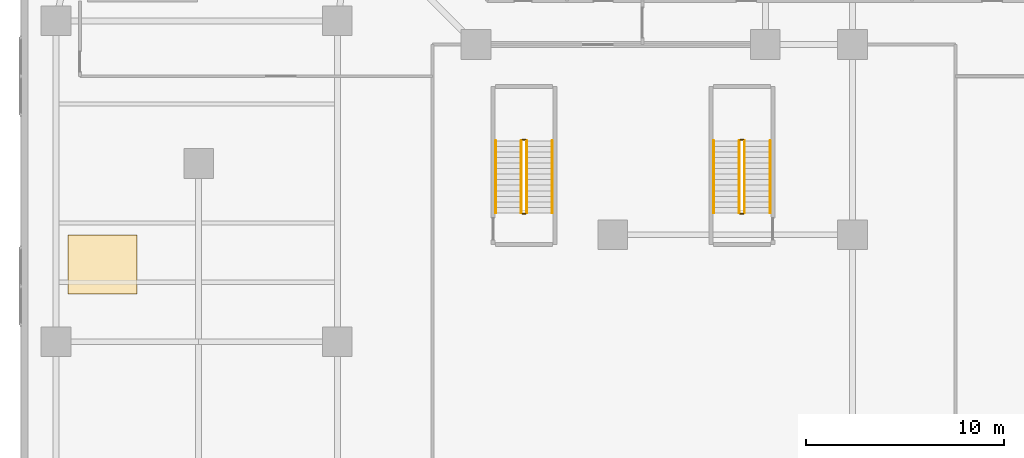
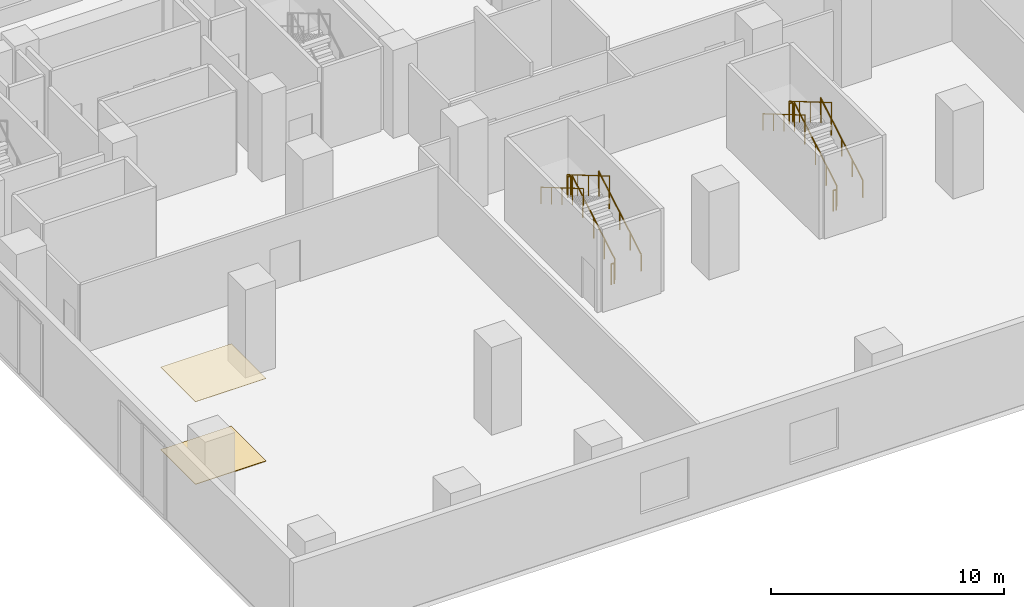
# One storey, part 12 of 14: 12 railings, 2 coverings.
"""IFC4 building model written with IfcOpenShell, lengths in metres."""

from ifc_helpers import new_model, si_unit, direction, frame, origin, origin_2d, place, context, subcontext, project, spatial, polyline, circle, outline, extrude, material, layer, layer_set, type_object, element, save


model = new_model("IFC4")

# Units and contexts
model_context = context("Model", 3, precision=1e-05, world=origin(), true_north=direction((0.0, 1.0)))
body_context = subcontext(model_context, "Body", "Model", "MODEL_VIEW")
ifc_project = project(units=[si_unit("LENGTHUNIT", "METRE"), si_unit("AREAUNIT", "SQUARE_METRE"), si_unit("VOLUMEUNIT", "CUBIC_METRE"), si_unit("PLANEANGLEUNIT", "RADIAN"), si_unit("MASSUNIT", "GRAM", prefix="KILO")], contexts=[model_context])

# Site, building, storey
site_placement = place(None, origin())
site = spatial("IfcSite", under=ifc_project, at=site_placement, CompositionType="ELEMENT")
building_placement = place(site_placement, origin())
building = spatial("IfcBuilding", under=site, at=building_placement, Name="Kuzgunbayir Cultural Tower", CompositionType="ELEMENT")
storey_placement = place(building_placement, frame((0.0, 0.0, 13.0)))
storey = spatial("IfcBuildingStorey", under=building, at=storey_placement, Name="L03", CompositionType="ELEMENT", Elevation=13.0)

# Coverings
ifc_material_1 = material(Name="Perforated Gypsum Acoustic Tile", Category="gypsum")
ifc_layer_1 = layer(ifc_material_1, 0.02490234375)
ifc_layer_set_1 = layer_set([ifc_layer_1], Name="Perforated Gypsum Acoustic Tile")
covering_type_1 = type_object("IfcCoveringType", Name="COV-CEIL-ACOUSTIC", PredefinedType="CEILING", material=ifc_layer_set_1)
covering_1_placement = place(storey_placement, frame((0.0, 0.0, 4.330078125)))
element("IfcCovering", 1, at=covering_1_placement, inside=storey, type_object=covering_type_1, Name="L03 Acoustic Soffit Ceiling", PredefinedType="CEILING", context=body_context, shape_type="SweptSolid", body=[
    extrude(outline(polyline([(6.0, 15.0), (9.5, 15.0), (9.5, 18.0), (6.0, 18.0), (6.0, 15.0)])), origin(), (0.0, 0.0, 1.0), 0.02001953125),
])
ifc_material_2 = material(Name="Honed Anatolian Marble Terrazzo", Category="masonry")
ifc_layer_2 = layer(ifc_material_2, 0.030029296875)
ifc_layer_set_2 = layer_set([ifc_layer_2], Name="Honed Anatolian Marble Terrazzo")
covering_type_2 = type_object("IfcCoveringType", Name="COV-FLOOR-TERRAZZO", PredefinedType="FLOORING", material=ifc_layer_set_2)
covering_2_placement = place(storey_placement, origin())
element("IfcCovering", 2, at=covering_2_placement, inside=storey, type_object=covering_type_2, Name="L03 Acoustic Floor Finish", PredefinedType="FLOORING", context=body_context, shape_type="SweptSolid", body=[
    extrude(outline(polyline([(6.0, 15.0), (9.5, 15.0), (9.5, 18.0), (6.0, 18.0), (6.0, 15.0)])), origin(), (0.0, 0.0, 1.0), 0.030029296875),
])

# Railings
ifc_material_3 = material(Name="Brushed Stainless Steel", Category="steel")
ifc_layer_3 = layer(ifc_material_3, 0.050048828125)
ifc_layer_set_3 = layer_set([ifc_layer_3], Name="Brushed Stainless Steel")
railing_type_1 = type_object("IfcRailingType", Name="RLG-STAIR-HANDRAIL", PredefinedType="HANDRAIL", material=ifc_layer_set_3)
railing_1_placement = place(storey_placement, frame((30.449951171875, 19.10009765625, 0.164306640625)))
element("IfcRailing", 3, at=railing_1_placement, inside=storey, type_object=railing_type_1, Name="L03 ST-5 stair handrail 1", PredefinedType="HANDRAIL", context=body_context, shape_type="SweptSolid", body=[
    extrude(circle(Radius=0.02392578125, at=origin_2d()), frame((0.0, 0.0, 0.8759765625), z_axis=(0.0, 0.862489892076, 0.506074289079), x_axis=(-1.0, 0.0, 0.0)), (0.0, 0.0, 1.0), 4.22021484375),
    extrude(circle(Radius=0.02099609375, at=origin_2d()), origin(), (0.0, 0.0, 1.0), 0.851806640625),
    extrude(circle(Radius=0.02099609375, at=origin_2d()), frame((0.0, 0.909912109375, 0.533935546875)), (0.0, 0.0, 1.0), 0.851806640625),
    extrude(circle(Radius=0.02099609375, at=origin_2d()), frame((0.0, 1.81982421875, 1.06787109375)), (0.0, 0.0, 1.0), 0.851806640625),
    extrude(circle(Radius=0.02099609375, at=origin_2d()), frame((0.0, 2.72998046875, 1.601806640625)), (0.0, 0.0, 1.0), 0.851806640625),
    extrude(circle(Radius=0.02099609375, at=origin_2d()), frame((0.0, 3.639892578125, 2.1357421875)), (0.0, 0.0, 1.0), 0.851806640625),
])
railing_2_placement = place(storey_placement, frame((27.590087890625, 22.739990234375, 2.46435546875)))
element("IfcRailing", 4, at=railing_2_placement, inside=storey, type_object=railing_type_1, Name="L03 ST-5 stair handrail 2", PredefinedType="HANDRAIL", context=body_context, shape_type="SweptSolid", body=[
    extrude(circle(Radius=0.02392578125, at=origin_2d()), frame((0.0, 0.0, 0.8759765625), z_axis=(0.0, -0.862489892076, 0.506074289079), x_axis=(1.0, 0.0, 0.0)), (0.0, 0.0, 1.0), 4.22021484375),
    extrude(circle(Radius=0.02099609375, at=origin_2d()), origin(), (0.0, 0.0, 1.0), 0.851806640625),
    extrude(circle(Radius=0.02099609375, at=origin_2d()), frame((0.0, -0.909912109375, 0.533935546875)), (0.0, 0.0, 1.0), 0.851806640625),
    extrude(circle(Radius=0.02099609375, at=origin_2d()), frame((0.0, -1.81982421875, 1.06787109375)), (0.0, 0.0, 1.0), 0.851806640625),
    extrude(circle(Radius=0.02099609375, at=origin_2d()), frame((0.0, -2.72998046875, 1.601806640625)), (0.0, 0.0, 1.0), 0.851806640625),
    extrude(circle(Radius=0.02099609375, at=origin_2d()), frame((0.0, -3.639892578125, 2.1357421875)), (0.0, 0.0, 1.0), 0.851806640625),
])
railing_3_placement = place(storey_placement, frame((41.449951171875, 19.10009765625, 0.164306640625)))
element("IfcRailing", 5, at=railing_3_placement, inside=storey, type_object=railing_type_1, Name="L03 ST-6 stair handrail 1", PredefinedType="HANDRAIL", context=body_context, shape_type="SweptSolid", body=[
    extrude(circle(Radius=0.02392578125, at=origin_2d()), frame((0.0, 0.0, 0.8759765625), z_axis=(0.0, 0.862489892076, 0.506074289079), x_axis=(-1.0, 0.0, 0.0)), (0.0, 0.0, 1.0), 4.22021484375),
    extrude(circle(Radius=0.02099609375, at=origin_2d()), origin(), (0.0, 0.0, 1.0), 0.851806640625),
    extrude(circle(Radius=0.02099609375, at=origin_2d()), frame((0.0, 0.909912109375, 0.533935546875)), (0.0, 0.0, 1.0), 0.851806640625),
    extrude(circle(Radius=0.02099609375, at=origin_2d()), frame((0.0, 1.81982421875, 1.06787109375)), (0.0, 0.0, 1.0), 0.851806640625),
    extrude(circle(Radius=0.02099609375, at=origin_2d()), frame((0.0, 2.72998046875, 1.601806640625)), (0.0, 0.0, 1.0), 0.851806640625),
    extrude(circle(Radius=0.02099609375, at=origin_2d()), frame((0.0, 3.639892578125, 2.1357421875)), (0.0, 0.0, 1.0), 0.851806640625),
])
railing_4_placement = place(storey_placement, frame((38.590087890625, 22.739990234375, 2.46435546875)))
element("IfcRailing", 6, at=railing_4_placement, inside=storey, type_object=railing_type_1, Name="L03 ST-6 stair handrail 2", PredefinedType="HANDRAIL", context=body_context, shape_type="SweptSolid", body=[
    extrude(circle(Radius=0.02392578125, at=origin_2d()), frame((0.0, 0.0, 0.8759765625), z_axis=(0.0, -0.862489892076, 0.506074289079), x_axis=(1.0, 0.0, 0.0)), (0.0, 0.0, 1.0), 4.22021484375),
    extrude(circle(Radius=0.02099609375, at=origin_2d()), origin(), (0.0, 0.0, 1.0), 0.851806640625),
    extrude(circle(Radius=0.02099609375, at=origin_2d()), frame((0.0, -0.909912109375, 0.533935546875)), (0.0, 0.0, 1.0), 0.851806640625),
    extrude(circle(Radius=0.02099609375, at=origin_2d()), frame((0.0, -1.81982421875, 1.06787109375)), (0.0, 0.0, 1.0), 0.851806640625),
    extrude(circle(Radius=0.02099609375, at=origin_2d()), frame((0.0, -2.72998046875, 1.601806640625)), (0.0, 0.0, 1.0), 0.851806640625),
    extrude(circle(Radius=0.02099609375, at=origin_2d()), frame((0.0, -3.639892578125, 2.1357421875)), (0.0, 0.0, 1.0), 0.851806640625),
])
ifc_material_4 = material(Name="Painted Steel Balustrade", Category="steel")
ifc_layer_4 = layer(ifc_material_4, 0.06005859375)
ifc_layer_set_4 = layer_set([ifc_layer_4], Name="Painted Steel Balustrade")
railing_type_2 = type_object("IfcRailingType", Name="RLG-WELL-GUARD", PredefinedType="GUARDRAIL", material=ifc_layer_set_4)
railing_5_placement = place(storey_placement, frame((29.14990234375, 19.10009765625, 0.164306640625)))
element("IfcRailing", 7, at=railing_5_placement, inside=storey, type_object=railing_type_2, Name="L03 ST-5 stair guard 1", PredefinedType="GUARDRAIL", context=body_context, shape_type="SweptSolid", body=[
    extrude(circle(Radius=0.02392578125, at=origin_2d()), frame((0.0, 0.0, 1.076171875), z_axis=(0.0, 0.862489892076, 0.506074289079), x_axis=(-1.0, 0.0, 0.0)), (0.0, 0.0, 1.0), 4.22021484375),
    extrude(circle(Radius=0.02099609375, at=origin_2d()), origin(), (0.0, 0.0, 1.0), 1.052001953125),
    extrude(circle(Radius=0.02099609375, at=origin_2d()), frame((0.0, 0.909912109375, 0.533935546875)), (0.0, 0.0, 1.0), 1.052001953125),
    extrude(circle(Radius=0.02099609375, at=origin_2d()), frame((0.0, 1.81982421875, 1.06787109375)), (0.0, 0.0, 1.0), 1.052001953125),
    extrude(circle(Radius=0.02099609375, at=origin_2d()), frame((0.0, 2.72998046875, 1.601806640625)), (0.0, 0.0, 1.0), 1.052001953125),
    extrude(circle(Radius=0.02099609375, at=origin_2d()), frame((0.0, 3.639892578125, 2.1357421875)), (0.0, 0.0, 1.0), 1.052001953125),
])
railing_6_placement = place(storey_placement, frame((29.10009765625, 22.7900390625, 2.300048828125)))
element("IfcRailing", 8, at=railing_6_placement, inside=storey, type_object=railing_type_2, Name="L03 ST-5 stair guard 2", PredefinedType="GUARDRAIL", context=body_context, shape_type="SweptSolid", body=[
    extrude(circle(Radius=0.02392578125, at=origin_2d()), frame((0.0, 0.0, 1.076171875), z_axis=(-1.0, 0.0, 0.0), x_axis=(0.0, -1.0, 0.0)), (0.0, 0.0, 1.0), 0.16015625),
    extrude(circle(Radius=0.02099609375, at=origin_2d()), origin(), (0.0, 0.0, 1.0), 1.052001953125),
    extrude(circle(Radius=0.02099609375, at=origin_2d()), frame((-0.16015625, 0.0, 0.0)), (0.0, 0.0, 1.0), 1.052001953125),
])
railing_7_placement = place(storey_placement, frame((28.889892578125, 22.739990234375, 2.46435546875)))
element("IfcRailing", 9, at=railing_7_placement, inside=storey, type_object=railing_type_2, Name="L03 ST-5 stair guard 3", PredefinedType="GUARDRAIL", context=body_context, shape_type="SweptSolid", body=[
    extrude(circle(Radius=0.02392578125, at=origin_2d()), frame((0.0, 0.0, 1.076171875), z_axis=(0.0, -0.862489892076, 0.506074289079), x_axis=(1.0, 0.0, 0.0)), (0.0, 0.0, 1.0), 4.22021484375),
    extrude(circle(Radius=0.02099609375, at=origin_2d()), origin(), (0.0, 0.0, 1.0), 1.052001953125),
    extrude(circle(Radius=0.02099609375, at=origin_2d()), frame((0.0, -0.909912109375, 0.533935546875)), (0.0, 0.0, 1.0), 1.052001953125),
    extrude(circle(Radius=0.02099609375, at=origin_2d()), frame((0.0, -1.81982421875, 1.06787109375)), (0.0, 0.0, 1.0), 1.052001953125),
    extrude(circle(Radius=0.02099609375, at=origin_2d()), frame((0.0, -2.72998046875, 1.601806640625)), (0.0, 0.0, 1.0), 1.052001953125),
    extrude(circle(Radius=0.02099609375, at=origin_2d()), frame((0.0, -3.639892578125, 2.1357421875)), (0.0, 0.0, 1.0), 1.052001953125),
])
railing_8_placement = place(storey_placement, frame((29.10009765625, 19.050048828125, 0.0)))
element("IfcRailing", 10, at=railing_8_placement, inside=storey, type_object=railing_type_2, Name="L03 ST-5 stair guard 4", PredefinedType="GUARDRAIL", context=body_context, shape_type="SweptSolid", body=[
    extrude(circle(Radius=0.02392578125, at=origin_2d()), frame((0.0, 0.0, 1.076171875), z_axis=(-1.0, 0.0, 0.0), x_axis=(0.0, -1.0, 0.0)), (0.0, 0.0, 1.0), 0.16015625),
    extrude(circle(Radius=0.02099609375, at=origin_2d()), origin(), (0.0, 0.0, 1.0), 1.052001953125),
    extrude(circle(Radius=0.02099609375, at=origin_2d()), frame((-0.16015625, 0.0, 0.0)), (0.0, 0.0, 1.0), 1.052001953125),
])
railing_9_placement = place(storey_placement, frame((40.14990234375, 19.10009765625, 0.164306640625)))
element("IfcRailing", 11, at=railing_9_placement, inside=storey, type_object=railing_type_2, Name="L03 ST-6 stair guard 1", PredefinedType="GUARDRAIL", context=body_context, shape_type="SweptSolid", body=[
    extrude(circle(Radius=0.02392578125, at=origin_2d()), frame((0.0, 0.0, 1.076171875), z_axis=(0.0, 0.862489892076, 0.506074289079), x_axis=(-1.0, 0.0, 0.0)), (0.0, 0.0, 1.0), 4.22021484375),
    extrude(circle(Radius=0.02099609375, at=origin_2d()), origin(), (0.0, 0.0, 1.0), 1.052001953125),
    extrude(circle(Radius=0.02099609375, at=origin_2d()), frame((0.0, 0.909912109375, 0.533935546875)), (0.0, 0.0, 1.0), 1.052001953125),
    extrude(circle(Radius=0.02099609375, at=origin_2d()), frame((0.0, 1.81982421875, 1.06787109375)), (0.0, 0.0, 1.0), 1.052001953125),
    extrude(circle(Radius=0.02099609375, at=origin_2d()), frame((0.0, 2.72998046875, 1.601806640625)), (0.0, 0.0, 1.0), 1.052001953125),
    extrude(circle(Radius=0.02099609375, at=origin_2d()), frame((0.0, 3.639892578125, 2.1357421875)), (0.0, 0.0, 1.0), 1.052001953125),
])
railing_10_placement = place(storey_placement, frame((40.10009765625, 22.7900390625, 2.300048828125)))
element("IfcRailing", 12, at=railing_10_placement, inside=storey, type_object=railing_type_2, Name="L03 ST-6 stair guard 2", PredefinedType="GUARDRAIL", context=body_context, shape_type="SweptSolid", body=[
    extrude(circle(Radius=0.02392578125, at=origin_2d()), frame((0.0, 0.0, 1.076171875), z_axis=(-1.0, 0.0, 0.0), x_axis=(0.0, -1.0, 0.0)), (0.0, 0.0, 1.0), 0.16015625),
    extrude(circle(Radius=0.02099609375, at=origin_2d()), origin(), (0.0, 0.0, 1.0), 1.052001953125),
    extrude(circle(Radius=0.02099609375, at=origin_2d()), frame((-0.16015625, 0.0, 0.0)), (0.0, 0.0, 1.0), 1.052001953125),
])
railing_11_placement = place(storey_placement, frame((39.889892578125, 22.739990234375, 2.46435546875)))
element("IfcRailing", 13, at=railing_11_placement, inside=storey, type_object=railing_type_2, Name="L03 ST-6 stair guard 3", PredefinedType="GUARDRAIL", context=body_context, shape_type="SweptSolid", body=[
    extrude(circle(Radius=0.02392578125, at=origin_2d()), frame((0.0, 0.0, 1.076171875), z_axis=(0.0, -0.862489892076, 0.506074289079), x_axis=(1.0, 0.0, 0.0)), (0.0, 0.0, 1.0), 4.22021484375),
    extrude(circle(Radius=0.02099609375, at=origin_2d()), origin(), (0.0, 0.0, 1.0), 1.052001953125),
    extrude(circle(Radius=0.02099609375, at=origin_2d()), frame((0.0, -0.909912109375, 0.533935546875)), (0.0, 0.0, 1.0), 1.052001953125),
    extrude(circle(Radius=0.02099609375, at=origin_2d()), frame((0.0, -1.81982421875, 1.06787109375)), (0.0, 0.0, 1.0), 1.052001953125),
    extrude(circle(Radius=0.02099609375, at=origin_2d()), frame((0.0, -2.72998046875, 1.601806640625)), (0.0, 0.0, 1.0), 1.052001953125),
    extrude(circle(Radius=0.02099609375, at=origin_2d()), frame((0.0, -3.639892578125, 2.1357421875)), (0.0, 0.0, 1.0), 1.052001953125),
])
railing_12_placement = place(storey_placement, frame((40.10009765625, 19.050048828125, 0.0)))
element("IfcRailing", 14, at=railing_12_placement, inside=storey, type_object=railing_type_2, Name="L03 ST-6 stair guard 4", PredefinedType="GUARDRAIL", context=body_context, shape_type="SweptSolid", body=[
    extrude(circle(Radius=0.02392578125, at=origin_2d()), frame((0.0, 0.0, 1.076171875), z_axis=(-1.0, 0.0, 0.0), x_axis=(0.0, -1.0, 0.0)), (0.0, 0.0, 1.0), 0.16015625),
    extrude(circle(Radius=0.02099609375, at=origin_2d()), origin(), (0.0, 0.0, 1.0), 1.052001953125),
    extrude(circle(Radius=0.02099609375, at=origin_2d()), frame((-0.16015625, 0.0, 0.0)), (0.0, 0.0, 1.0), 1.052001953125),
])

save(model, "model.ifc")
